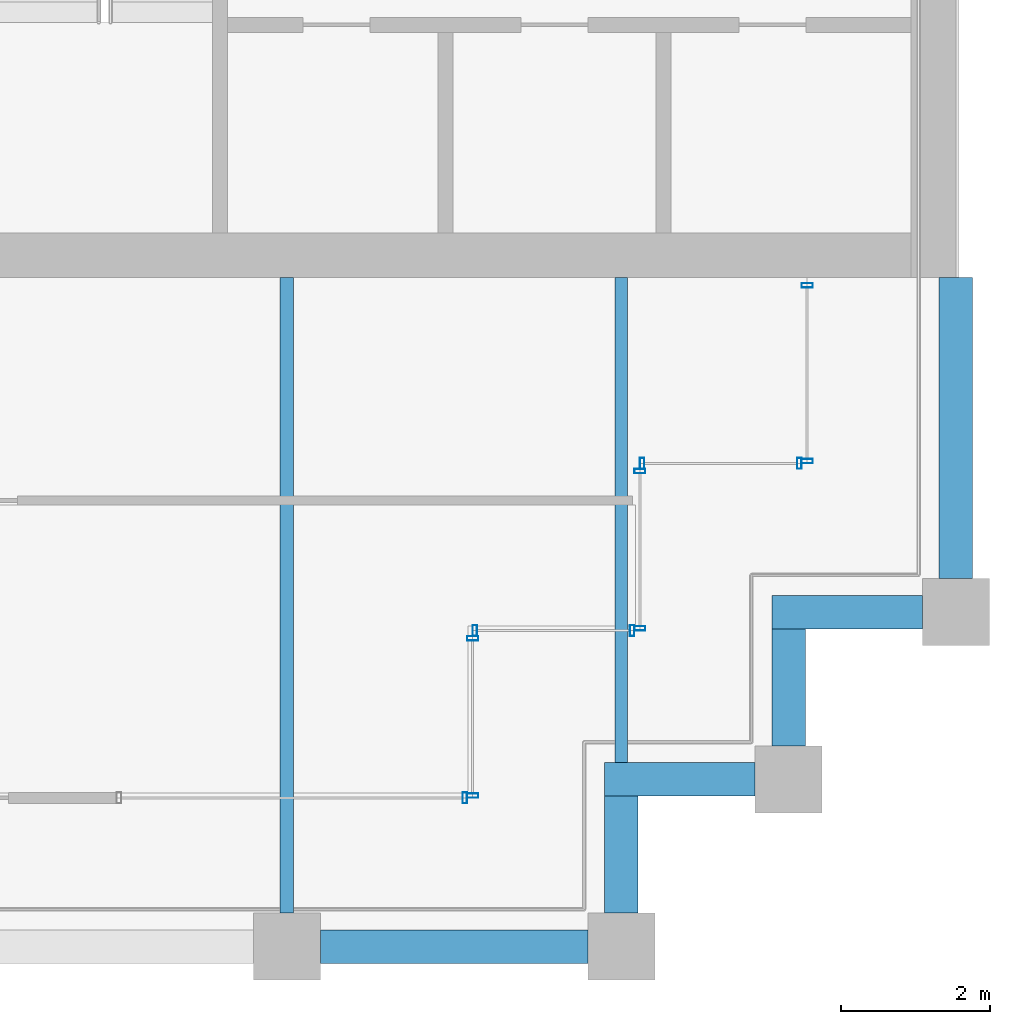
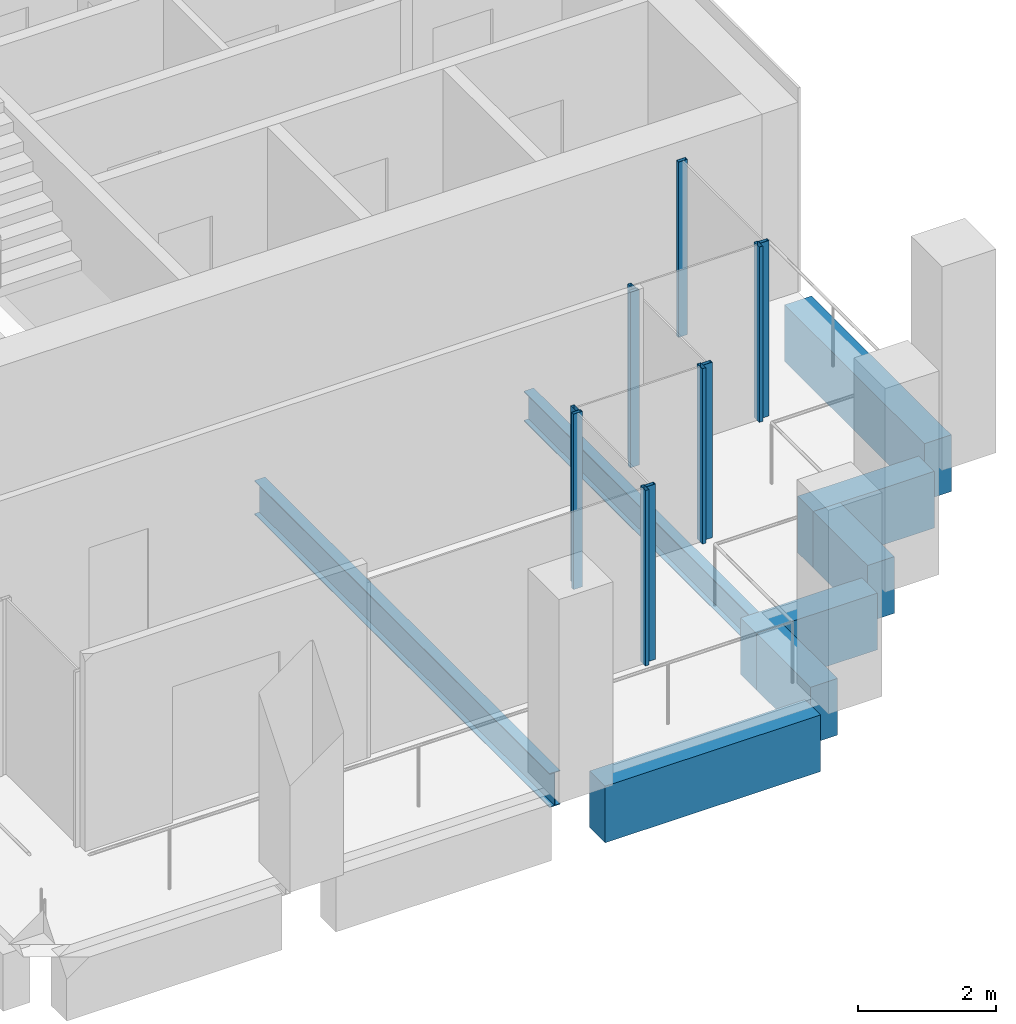
# One storey, part 31 of 40: 11 members, 8 beams, 6 elements without a shape of their own.
"""IFC4 building model written with IfcOpenShell, lengths in metres."""

from ifc_helpers import new_model, si_unit, direction, frame, origin, origin_2d, place, context, subcontext, project, spatial, rectangle, hollow_rectangle, i_section, extrude, material, material_profile, profile_set, type_object, element, aggregate, save


model = new_model("IFC4")

# Units and contexts
model_context = context("Model", 3, precision=1e-05, world=origin(), true_north=direction((0.0, 1.0)))
body_context = subcontext(model_context, "Body", "Model", "MODEL_VIEW")
ifc_project = project(units=[si_unit("LENGTHUNIT", "METRE"), si_unit("AREAUNIT", "SQUARE_METRE"), si_unit("VOLUMEUNIT", "CUBIC_METRE"), si_unit("PLANEANGLEUNIT", "RADIAN"), si_unit("MASSUNIT", "GRAM", prefix="KILO")], contexts=[model_context])

# Site, building, storey
site_placement = place(None, origin())
site = spatial("IfcSite", under=ifc_project, at=site_placement, CompositionType="ELEMENT")
building_placement = place(site_placement, origin())
building = spatial("IfcBuilding", under=site, at=building_placement, Name="Altepetl Exchange Towers", CompositionType="ELEMENT")
storey_placement = place(building_placement, frame((0.0, 0.0, 158.199951171875)))
storey = spatial("IfcBuildingStorey", under=building, at=storey_placement, Name="L39", CompositionType="ELEMENT", Elevation=158.199951171875)

# Beams
ifc_material_1 = material(Name="Steel S355", Category="steel")
ifc_material_profile_1 = material_profile(ifc_material_1, i_section(OverallWidth=0.166015625, OverallDepth=0.529052734375, WebThickness=0.009765625, FlangeThickness=0.013671875, at=origin_2d()), Name="W21X50")
ifc_profile_set_1 = profile_set([ifc_material_profile_1], Name="Steel S355")
beam_type_1 = type_object("IfcBeamType", Name="Floor beam W21X50", PredefinedType="BEAM", material=ifc_profile_set_1)
beam_1_placement = place(storey_placement, frame((112.5, 29.47509765625, -0.41455078125), z_axis=(0.0, 1.0, 0.0), x_axis=(-1.0, 0.0, 0.0)))
element("IfcBeam", 1, at=beam_1_placement, inside=storey, type_object=beam_type_1, Name="bm:B:L39:003", PredefinedType="BEAM", context=body_context, shape_type="SweptSolid", body=[
    extrude(i_section(OverallWidth=0.166015625, OverallDepth=0.529052734375, WebThickness=0.009765625, FlangeThickness=0.013671875, at=origin_2d()), origin(), (0.0, 0.0, 1.0), 6.52490234375),
])
ifc_material_profile_2 = material_profile(ifc_material_1, i_section(OverallWidth=0.177978515625, OverallDepth=0.59912109375, WebThickness=0.010009765625, FlangeThickness=0.0126953125, at=origin_2d()), Name="W24X55")
ifc_profile_set_2 = profile_set([ifc_material_profile_2], Name="Steel S355")
beam_type_2 = type_object("IfcBeamType", Name="Floor beam W24X55", PredefinedType="BEAM", material=ifc_profile_set_2)
beam_2_placement = place(storey_placement, frame((108.0, 27.449951171875, -0.449462890625), z_axis=(0.0, 1.0, 0.0), x_axis=(-1.0, 0.0, 0.0)))
element("IfcBeam", 2, at=beam_2_placement, inside=storey, type_object=beam_type_2, Name="bm:B:L39:002", PredefinedType="BEAM", context=body_context, shape_type="SweptSolid", body=[
    extrude(i_section(OverallWidth=0.177978515625, OverallDepth=0.59912109375, WebThickness=0.010009765625, FlangeThickness=0.0126953125, at=origin_2d()), origin(), (0.0, 0.0, 1.0), 8.550048828125),
])

# Curtain wall, member
ifc_material_2 = material(Name="Aluminium 6063-T6 glazing", Category="aluminium")
curtain_wall_type = type_object("IfcCurtainWallType", Name="Loggia glazing system", PredefinedType="NOTDEFINED", material=ifc_material_2)
curtain_wall_1_placement = place(storey_placement, origin())
curtain_wall_1 = element("IfcCurtainWall", 3, at=curtain_wall_1_placement, inside=storey, type_object=curtain_wall_type, Name="CW1 run", PredefinedType="NOTDEFINED")
ifc_material_3 = material(Name="Aluminium 6063-T6", Category="aluminium")
ifc_material_profile_3 = material_profile(ifc_material_3, hollow_rectangle(XDim=0.06005859375, YDim=0.14990234375, WallThickness=0.0029296875, at=origin_2d()), Name="Mullion 60x150 aluminium")
ifc_profile_set_3 = profile_set([ifc_material_profile_3], Name="Aluminium 6063-T6")
member_type = type_object("IfcMemberType", Name="Mullion 60x150 aluminium", PredefinedType="MULLION", material=ifc_profile_set_3)
member_1_placement = place(storey_placement, frame((110.39501953125, 29.0, 0.0)))
member_1 = element("IfcMember", 4, at=member_1_placement, type_object=member_type, Name="MU1 mullion", PredefinedType="MULLION", context=body_context, shape_type="SweptSolid", body=[
    extrude(hollow_rectangle(XDim=0.06005859375, YDim=0.14990234375, WallThickness=0.0029296875, at=origin_2d()), origin(), (0.0, 0.0, 1.0), 3.10009765625),
])
aggregate(curtain_wall_1, [member_1])

# Curtain wall, members
curtain_wall_2_placement = place(storey_placement, origin())
curtain_wall_2 = element("IfcCurtainWall", 5, at=curtain_wall_2_placement, inside=storey, type_object=curtain_wall_type, Name="CW1 run", PredefinedType="NOTDEFINED")
member_2_placement = place(storey_placement, frame((110.5, 29.030029296875, 0.0), z_axis=(0.0, 0.0, 1.0), x_axis=(0.0, 1.0, 0.0)))
member_2 = element("IfcMember", 6, at=member_2_placement, type_object=member_type, Name="MU1 mullion", PredefinedType="MULLION", context=body_context, shape_type="SweptSolid", body=[
    extrude(hollow_rectangle(XDim=0.06005859375, YDim=0.14990234375, WallThickness=0.0029296875, at=origin_2d()), origin(), (0.0, 0.0, 1.0), 3.10009765625),
])
member_3_placement = place(storey_placement, frame((110.5, 31.14501953125, 0.0), z_axis=(0.0, 0.0, 1.0), x_axis=(0.0, 1.0, 0.0)))
member_3 = element("IfcMember", 7, at=member_3_placement, type_object=member_type, Name="MU1 mullion", PredefinedType="MULLION", context=body_context, shape_type="SweptSolid", body=[
    extrude(hollow_rectangle(XDim=0.06005859375, YDim=0.14990234375, WallThickness=0.0029296875, at=origin_2d()), origin(), (0.0, 0.0, 1.0), 3.10009765625),
])
aggregate(curtain_wall_2, [member_2, member_3])

curtain_wall_3_placement = place(storey_placement, origin())
curtain_wall_3 = element("IfcCurtainWall", 8, at=curtain_wall_3_placement, inside=storey, type_object=curtain_wall_type, Name="CW1 run", PredefinedType="NOTDEFINED")
member_4_placement = place(storey_placement, frame((110.530029296875, 31.25, 0.0)))
member_4 = element("IfcMember", 9, at=member_4_placement, type_object=member_type, Name="MU1 mullion", PredefinedType="MULLION", context=body_context, shape_type="SweptSolid", body=[
    extrude(hollow_rectangle(XDim=0.06005859375, YDim=0.14990234375, WallThickness=0.0029296875, at=origin_2d()), origin(), (0.0, 0.0, 1.0), 3.10009765625),
])
member_5_placement = place(storey_placement, frame((112.64501953125, 31.25, 0.0)))
member_5 = element("IfcMember", 10, at=member_5_placement, type_object=member_type, Name="MU1 mullion", PredefinedType="MULLION", context=body_context, shape_type="SweptSolid", body=[
    extrude(hollow_rectangle(XDim=0.06005859375, YDim=0.14990234375, WallThickness=0.0029296875, at=origin_2d()), origin(), (0.0, 0.0, 1.0), 3.10009765625),
])
aggregate(curtain_wall_3, [member_4, member_5])

curtain_wall_4_placement = place(storey_placement, origin())
curtain_wall_4 = element("IfcCurtainWall", 11, at=curtain_wall_4_placement, inside=storey, type_object=curtain_wall_type, Name="CW1 run", PredefinedType="NOTDEFINED")
member_6_placement = place(storey_placement, frame((112.75, 31.280029296875, 0.0), z_axis=(0.0, 0.0, 1.0), x_axis=(0.0, 1.0, 0.0)))
member_6 = element("IfcMember", 12, at=member_6_placement, type_object=member_type, Name="MU1 mullion", PredefinedType="MULLION", context=body_context, shape_type="SweptSolid", body=[
    extrude(hollow_rectangle(XDim=0.06005859375, YDim=0.14990234375, WallThickness=0.0029296875, at=origin_2d()), origin(), (0.0, 0.0, 1.0), 3.10009765625),
])
member_7_placement = place(storey_placement, frame((112.75, 33.39501953125, 0.0), z_axis=(0.0, 0.0, 1.0), x_axis=(0.0, 1.0, 0.0)))
member_7 = element("IfcMember", 13, at=member_7_placement, type_object=member_type, Name="MU1 mullion", PredefinedType="MULLION", context=body_context, shape_type="SweptSolid", body=[
    extrude(hollow_rectangle(XDim=0.06005859375, YDim=0.14990234375, WallThickness=0.0029296875, at=origin_2d()), origin(), (0.0, 0.0, 1.0), 3.10009765625),
])
aggregate(curtain_wall_4, [member_6, member_7])

curtain_wall_5_placement = place(storey_placement, origin())
curtain_wall_5 = element("IfcCurtainWall", 14, at=curtain_wall_5_placement, inside=storey, type_object=curtain_wall_type, Name="CW1 run", PredefinedType="NOTDEFINED")
member_8_placement = place(storey_placement, frame((112.780029296875, 33.5, 0.0)))
member_8 = element("IfcMember", 15, at=member_8_placement, type_object=member_type, Name="MU1 mullion", PredefinedType="MULLION", context=body_context, shape_type="SweptSolid", body=[
    extrude(hollow_rectangle(XDim=0.06005859375, YDim=0.14990234375, WallThickness=0.0029296875, at=origin_2d()), origin(), (0.0, 0.0, 1.0), 3.10009765625),
])
member_9_placement = place(storey_placement, frame((114.89501953125, 33.5, 0.0)))
member_9 = element("IfcMember", 16, at=member_9_placement, type_object=member_type, Name="MU1 mullion", PredefinedType="MULLION", context=body_context, shape_type="SweptSolid", body=[
    extrude(hollow_rectangle(XDim=0.06005859375, YDim=0.14990234375, WallThickness=0.0029296875, at=origin_2d()), origin(), (0.0, 0.0, 1.0), 3.10009765625),
])
aggregate(curtain_wall_5, [member_8, member_9])

curtain_wall_6_placement = place(storey_placement, origin())
curtain_wall_6 = element("IfcCurtainWall", 17, at=curtain_wall_6_placement, inside=storey, type_object=curtain_wall_type, Name="CW1 run", PredefinedType="NOTDEFINED")
member_10_placement = place(storey_placement, frame((115.0, 33.530029296875, 0.0), z_axis=(0.0, 0.0, 1.0), x_axis=(0.0, 1.0, 0.0)))
member_10 = element("IfcMember", 18, at=member_10_placement, type_object=member_type, Name="MU1 mullion", PredefinedType="MULLION", context=body_context, shape_type="SweptSolid", body=[
    extrude(hollow_rectangle(XDim=0.06005859375, YDim=0.14990234375, WallThickness=0.0029296875, at=origin_2d()), origin(), (0.0, 0.0, 1.0), 3.10009765625),
])
member_11_placement = place(storey_placement, frame((115.0, 35.89501953125, 0.0), z_axis=(0.0, 0.0, 1.0), x_axis=(0.0, 1.0, 0.0)))
member_11 = element("IfcMember", 19, at=member_11_placement, type_object=member_type, Name="MU1 mullion", PredefinedType="MULLION", context=body_context, shape_type="SweptSolid", body=[
    extrude(hollow_rectangle(XDim=0.06005859375, YDim=0.14990234375, WallThickness=0.0029296875, at=origin_2d()), origin(), (0.0, 0.0, 1.0), 3.10009765625),
])
aggregate(curtain_wall_6, [member_10, member_11])

# Beams
ifc_material_4 = material(Name="Concrete C50/60 precast with cantera blanca facing", Category="concrete")
ifc_material_profile_4 = material_profile(ifc_material_4, rectangle(XDim=0.449951171875, YDim=1.0, at=origin_2d()), Name="450 x 1000")
ifc_profile_set_4 = profile_set([ifc_material_profile_4], Name="Concrete C50/60 precast with cantera blanca facing")
beam_type_3 = type_object("IfcBeamType", Name="Spandrel beam 450x1000 cantera blanca", PredefinedType="SPANDREL", material=ifc_profile_set_4)
beam_3_placement = place(storey_placement, frame((117.0, 31.949951171875, -0.64990234375), z_axis=(0.0, 1.0, 0.0), x_axis=(-1.0, 0.0, 0.0)))
element("IfcBeam", 20, at=beam_3_placement, inside=storey, type_object=beam_type_3, Name="sp:B:L39:007", PredefinedType="SPANDREL", context=body_context, shape_type="SweptSolid", body=[
    extrude(rectangle(XDim=0.449951171875, YDim=1.0, at=origin_2d()), origin(), (0.0, 0.0, 1.0), 4.050048828125),
])
ifc_material_5 = material(Name="Concrete C50/60 precast with tezontle facing", Category="concrete")
ifc_material_profile_5 = material_profile(ifc_material_5, rectangle(XDim=0.449951171875, YDim=1.0, at=origin_2d()), Name="450 x 1000")
ifc_profile_set_5 = profile_set([ifc_material_profile_5], Name="Concrete C50/60 precast with tezontle facing")
beam_type_4 = type_object("IfcBeamType", Name="Spandrel beam 450x1000 tezontle", PredefinedType="SPANDREL", material=ifc_profile_set_5)
beam_4_placement = place(storey_placement, frame((108.449951171875, 27.0, -0.64990234375), z_axis=(1.0, 0.0, 0.0), x_axis=(0.0, 1.0, 0.0)))
element("IfcBeam", 21, at=beam_4_placement, inside=storey, type_object=beam_type_4, Name="sp:B:L39:002", PredefinedType="SPANDREL", context=body_context, shape_type="SweptSolid", body=[
    extrude(rectangle(XDim=0.449951171875, YDim=1.0, at=origin_2d()), origin(), (0.0, 0.0, 1.0), 3.60009765625),
])
beam_5_placement = place(storey_placement, frame((112.5, 27.449951171875, -0.64990234375), z_axis=(0.0, 1.0, 0.0), x_axis=(-1.0, 0.0, 0.0)))
element("IfcBeam", 22, at=beam_5_placement, inside=storey, type_object=beam_type_4, Name="sp:B:L39:003", PredefinedType="SPANDREL", context=body_context, shape_type="SweptSolid", body=[
    extrude(rectangle(XDim=0.449951171875, YDim=1.0, at=origin_2d()), origin(), (0.0, 0.0, 1.0), 1.574951171875),
])
beam_6_placement = place(storey_placement, frame((112.27490234375, 29.25, -0.64990234375), z_axis=(1.0, 0.0, 0.0), x_axis=(0.0, 1.0, 0.0)))
element("IfcBeam", 23, at=beam_6_placement, inside=storey, type_object=beam_type_4, Name="sp:B:L39:004", PredefinedType="SPANDREL", context=body_context, shape_type="SweptSolid", body=[
    extrude(rectangle(XDim=0.449951171875, YDim=1.0, at=origin_2d()), origin(), (0.0, 0.0, 1.0), 2.025146484375),
])
beam_7_placement = place(storey_placement, frame((114.75, 29.699951171875, -0.64990234375), z_axis=(0.0, 1.0, 0.0), x_axis=(-1.0, 0.0, 0.0)))
element("IfcBeam", 24, at=beam_7_placement, inside=storey, type_object=beam_type_4, Name="sp:B:L39:005", PredefinedType="SPANDREL", context=body_context, shape_type="SweptSolid", body=[
    extrude(rectangle(XDim=0.449951171875, YDim=1.0, at=origin_2d()), origin(), (0.0, 0.0, 1.0), 1.574951171875),
])
beam_8_placement = place(storey_placement, frame((114.52490234375, 31.5, -0.64990234375), z_axis=(1.0, 0.0, 0.0), x_axis=(0.0, 1.0, 0.0)))
element("IfcBeam", 25, at=beam_8_placement, inside=storey, type_object=beam_type_4, Name="sp:B:L39:006", PredefinedType="SPANDREL", context=body_context, shape_type="SweptSolid", body=[
    extrude(rectangle(XDim=0.449951171875, YDim=1.0, at=origin_2d()), origin(), (0.0, 0.0, 1.0), 2.025146484375),
])

save(model, "model.ifc")
